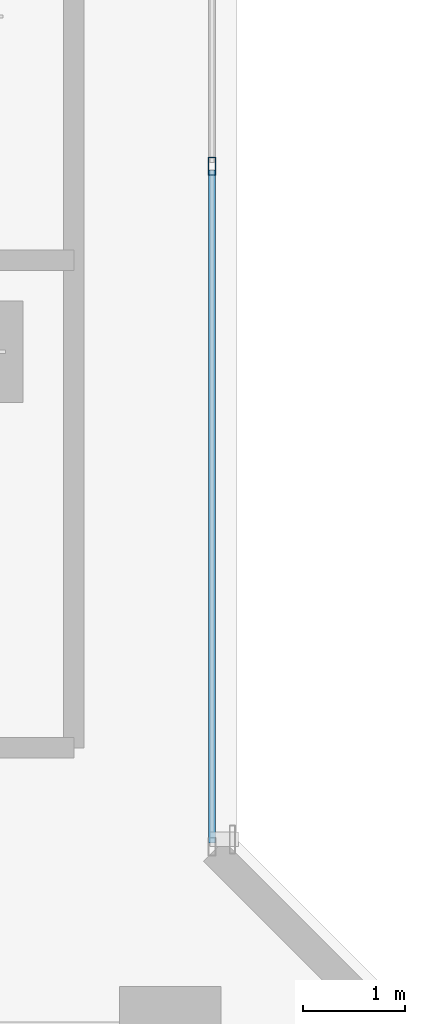
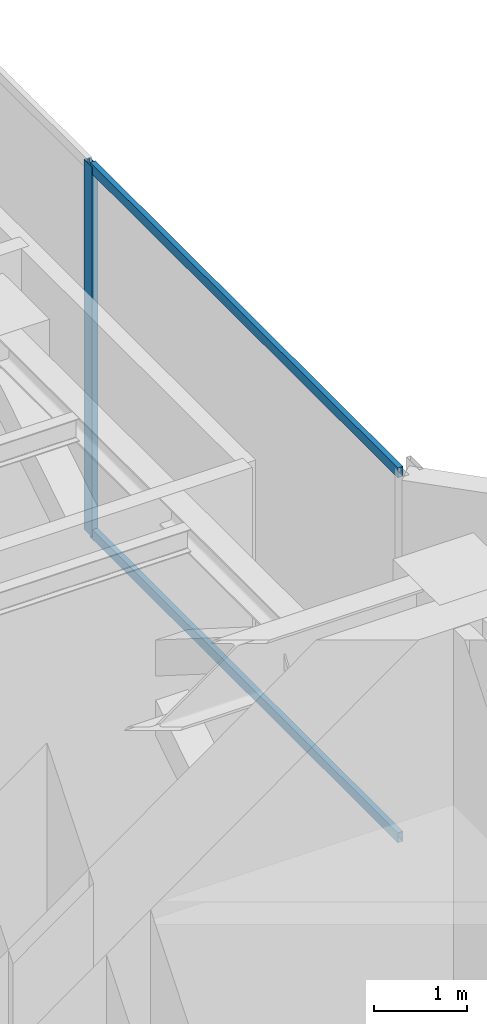
# One storey, part 14 of 31: 3 members, 1 element without a shape of its own.
"""IFC4 building model written with IfcOpenShell, lengths in metres."""

from ifc_helpers import new_model, si_unit, direction, frame, origin, origin_with_axes, origin_2d, place, context, subcontext, project, spatial, hollow_rectangle, extrude, source, transform, mapped, material, layer, layer_set, material_profile, profile_set, type_object, element, aggregate, save


model = new_model("IFC4")

# Units and contexts
model_context = context("Model", 3, precision=1e-05, world=origin(), true_north=direction((0.0, 1.0)))
body_context = subcontext(model_context, "Body", "Model", "MODEL_VIEW")
ifc_project = project(units=[si_unit("LENGTHUNIT", "METRE"), si_unit("AREAUNIT", "SQUARE_METRE"), si_unit("VOLUMEUNIT", "CUBIC_METRE"), si_unit("PLANEANGLEUNIT", "RADIAN"), si_unit("MASSUNIT", "GRAM", prefix="KILO")], contexts=[model_context])

# Site, building, storey
site_placement = place(None, origin())
site = spatial("IfcSite", under=ifc_project, at=site_placement, CompositionType="ELEMENT")
building_placement = place(site_placement, origin())
building = spatial("IfcBuilding", under=site, at=building_placement, Name="Kolvaren Waterfront Exchange", CompositionType="ELEMENT")
storey_placement = place(building_placement, frame((0.0, 0.0, 257.699951171875)))
storey = spatial("IfcBuildingStorey", under=building, at=storey_placement, Name="L66", CompositionType="ELEMENT", Elevation=257.699951171875)

# Curtain wall, members
ifc_material_1 = material(Name="Anodised dark bronze spandrel aluminium", Category="aluminium")
ifc_layer = layer(ifc_material_1, 0.219970703125, Name="Anodised dark bronze spandrel aluminium")
ifc_layer_set = layer_set([ifc_layer], Name="Anodised dark bronze spandrel aluminium")
curtain_wall_type = type_object("IfcCurtainWallType", Name="ARC-CW-SYS6", PredefinedType="USERDEFINED", material=ifc_layer_set)
curtain_wall_placement = place(storey_placement, origin())
curtain_wall = element("IfcCurtainWall", 1, at=curtain_wall_placement, inside=storey, type_object=curtain_wall_type, Name="L66 stick curtain wall CW6 (CW-L66-NE)", ObjectType="STICK CURTAIN WALL", PredefinedType="USERDEFINED")
ifc_material_2 = material(Name="Anodised bronze aluminium 6063-T6", Category="aluminium")
ifc_material_profile_1 = material_profile(ifc_material_2, hollow_rectangle(XDim=0.074951171875, YDim=0.179931640625, WallThickness=0.00439453125, at=origin_2d()), Name="ALU-MUL-180x75x4.5")
ifc_profile_set_1 = profile_set([ifc_material_profile_1], Name="Anodised bronze aluminium 6063-T6")
member_type_1 = type_object("IfcMemberType", Name="ARC-CWM-180", PredefinedType="MULLION", material=ifc_profile_set_1)
shared_shape_1 = source(origin_with_axes(), body_context, "Body", "SweptSolid", [
    extrude(hollow_rectangle(XDim=0.074951171875, YDim=0.179931640625, WallThickness=0.00439453125, at=origin_2d()), origin(), (0.0, 0.0, 1.0), 4.860107421875),
])
member_1_placement = place(storey_placement, frame((21.159912109375, 33.026611328125, 0.0), z_axis=(0.0, 0.0, 1.0), x_axis=(-1.0, 0.0, 0.0)))
member_1 = element("IfcMember", 2, at=member_1_placement, type_object=member_type_1, Name="CW6 mullion 2", PredefinedType="MULLION", context=body_context, shape_type="MappedRepresentation", body=[
    mapped(shared_shape_1, transform((0.0, 0.0, 0.0), x_axis=(1.0, 0.0, 0.0), y_axis=(0.0, 1.0, 0.0), z_axis=(0.0, 0.0, 1.0), scale=1.0)),
])
ifc_material_profile_2 = material_profile(ifc_material_2, hollow_rectangle(XDim=0.06494140625, YDim=0.1298828125, WallThickness=0.00390625, at=origin_2d()), Name="ALU-TRN-130x65x4")
ifc_profile_set_2 = profile_set([ifc_material_profile_2], Name="Anodised bronze aluminium 6063-T6")
member_type_2 = type_object("IfcMemberType", Name="ARC-CWT-130", PredefinedType="USERDEFINED", material=ifc_profile_set_2)
shared_shape_2 = source(origin_with_axes(), body_context, "Body", "SweptSolid", [
    extrude(hollow_rectangle(XDim=0.06494140625, YDim=0.1298828125, WallThickness=0.00390625, at=origin_2d()), origin(), (0.0, 0.0, 1.0), 6.624267578125),
])
member_2_placement = place(storey_placement, frame((21.159912109375, 26.364990234375, 0.032470703125), z_axis=(0.0, 1.0, 0.0), x_axis=(-1.0, 0.0, 0.0)))
member_2 = element("IfcMember", 3, at=member_2_placement, type_object=member_type_2, Name="CW6 transom 1.1", ObjectType="TRANSOM", PredefinedType="USERDEFINED", context=body_context, shape_type="MappedRepresentation", body=[
    mapped(shared_shape_2, transform((0.0, 0.0, 0.0), x_axis=(1.0, 0.0, 0.0), y_axis=(0.0, 1.0, 0.0), z_axis=(0.0, 0.0, 1.0), scale=1.0)),
])
member_3_placement = place(storey_placement, frame((21.159912109375, 26.364990234375, 4.82763671875), z_axis=(0.0, 1.0, 0.0), x_axis=(-1.0, 0.0, 0.0)))
member_3 = element("IfcMember", 4, at=member_3_placement, type_object=member_type_2, Name="CW6 transom 1.2", ObjectType="TRANSOM", PredefinedType="USERDEFINED", context=body_context, shape_type="MappedRepresentation", body=[
    mapped(shared_shape_2, transform((0.0, 0.0, 0.0), x_axis=(1.0, 0.0, 0.0), y_axis=(0.0, 1.0, 0.0), z_axis=(0.0, 0.0, 1.0), scale=1.0)),
])
aggregate(curtain_wall, [member_1, member_2, member_3])

save(model, "model.ifc")
